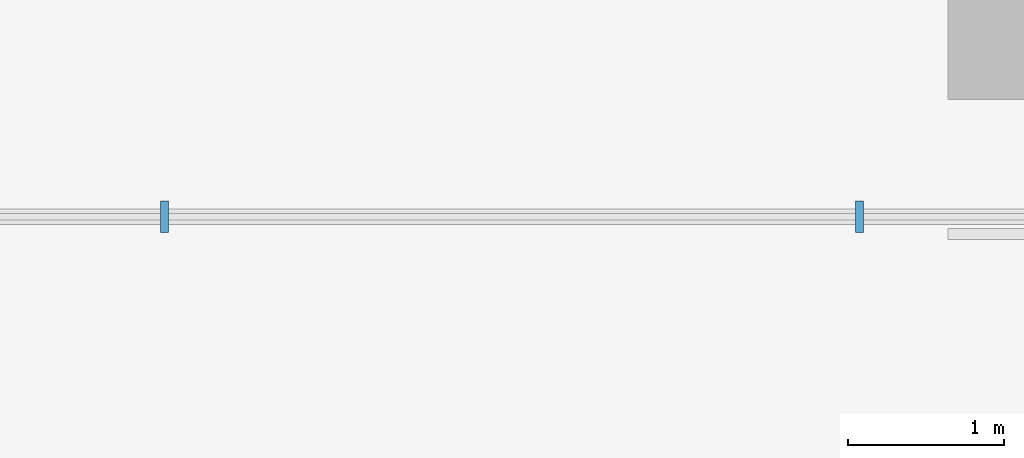
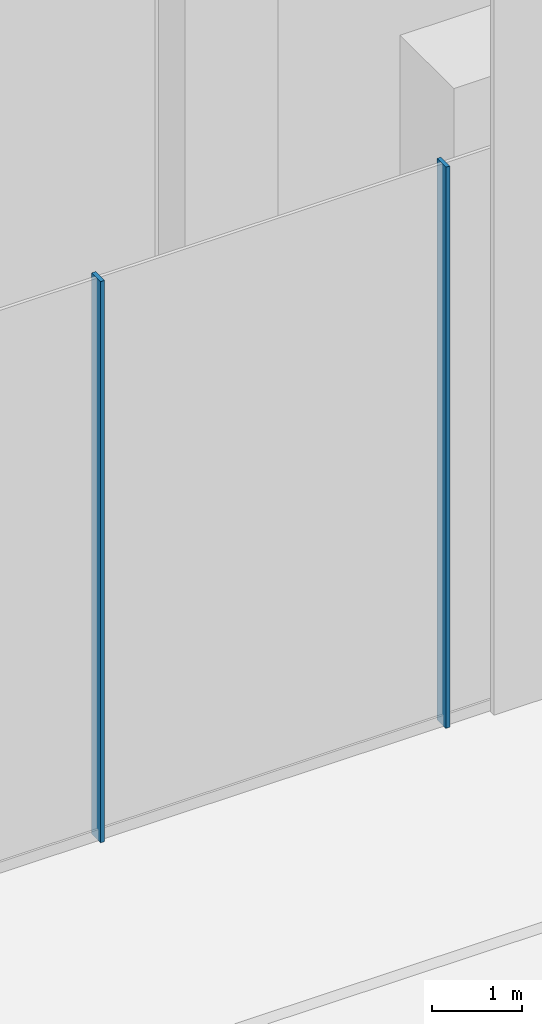
# One storey, part 6 of 42: 2 members, 1 element without a shape of its own.
"""IFC4 building model written with IfcOpenShell, lengths in metres."""

from ifc_helpers import new_model, si_unit, direction, frame, origin, origin_2d, place, context, subcontext, project, spatial, rectangle, extrude, material, layer, layer_set, material_profile, profile_set, type_object, element, aggregate, save


model = new_model("IFC4")

# Units and contexts
model_context = context("Model", 3, precision=1e-05, world=origin(), true_north=direction((0.0, 1.0)))
body_context = subcontext(model_context, "Body", "Model", "MODEL_VIEW")
ifc_project = project(units=[si_unit("LENGTHUNIT", "METRE"), si_unit("AREAUNIT", "SQUARE_METRE"), si_unit("VOLUMEUNIT", "CUBIC_METRE"), si_unit("PLANEANGLEUNIT", "RADIAN"), si_unit("MASSUNIT", "GRAM", prefix="KILO")], contexts=[model_context])

# Site, building, storey
site_placement = place(None, origin())
site = spatial("IfcSite", under=ifc_project, at=site_placement, CompositionType="ELEMENT")
building_placement = place(site_placement, origin())
building = spatial("IfcBuilding", under=site, at=building_placement, Name="Plateau Cross Towers", CompositionType="ELEMENT")
storey_placement = place(building_placement, origin())
storey = spatial("IfcBuildingStorey", under=building, at=storey_placement, Name="L00", CompositionType="ELEMENT", Elevation=0.0)

# Curtain wall, members
ifc_material_1 = material(Name="Dark low-iron laminated glass", Category="glass")
ifc_layer = layer(ifc_material_1, 0.300048828125)
ifc_layer_set = layer_set([ifc_layer], Name="Dark low-iron laminated glass")
curtain_wall_type = type_object("IfcCurtainWallType", Name="Curtain wall structural silicone CW-C", PredefinedType="NOTDEFINED", material=ifc_layer_set)
curtain_wall_placement = place(storey_placement, origin())
curtain_wall = element("IfcCurtainWall", 1, at=curtain_wall_placement, inside=storey, type_object=curtain_wall_type, Name="ENV/P/L00/P172_-118", PredefinedType="NOTDEFINED")
ifc_material_2 = material(Name="Black anodised aluminium", Category="aluminium")
ifc_material_profile = material_profile(ifc_material_2, rectangle(XDim=0.050048828125, YDim=0.199951171875, at=origin_2d()), Name="MULLION 50x200")
ifc_profile_set = profile_set([ifc_material_profile], Name="Black anodised aluminium")
member_type = type_object("IfcMemberType", Name="Mullion 50x200 structural silicone", PredefinedType="MULLION", material=ifc_profile_set)
member_1_placement = place(storey_placement, frame((48.3798828125, -11.85009765625, 0.0), z_axis=(0.0, 0.0, 1.0), x_axis=(1.0, 0.0, 0.0)))
member_1 = element("IfcMember", 2, at=member_1_placement, type_object=member_type, Name="CW-C mullion 8", PredefinedType="MULLION", context=body_context, shape_type="SweptSolid", body=[
    extrude(rectangle(XDim=0.050048828125, YDim=0.199951171875, at=origin_2d()), origin(), (0.0, 0.0, 1.0), 7.64990234375),
])
member_2_placement = place(storey_placement, frame((52.833251953125, -11.85009765625, 0.0), z_axis=(0.0, 0.0, 1.0), x_axis=(1.0, 0.0, 0.0)))
member_2 = element("IfcMember", 3, at=member_2_placement, type_object=member_type, Name="CW-C mullion 9", PredefinedType="MULLION", context=body_context, shape_type="SweptSolid", body=[
    extrude(rectangle(XDim=0.050048828125, YDim=0.199951171875, at=origin_2d()), origin(), (0.0, 0.0, 1.0), 7.64990234375),
])
aggregate(curtain_wall, [member_1, member_2])

save(model, "model.ifc")
